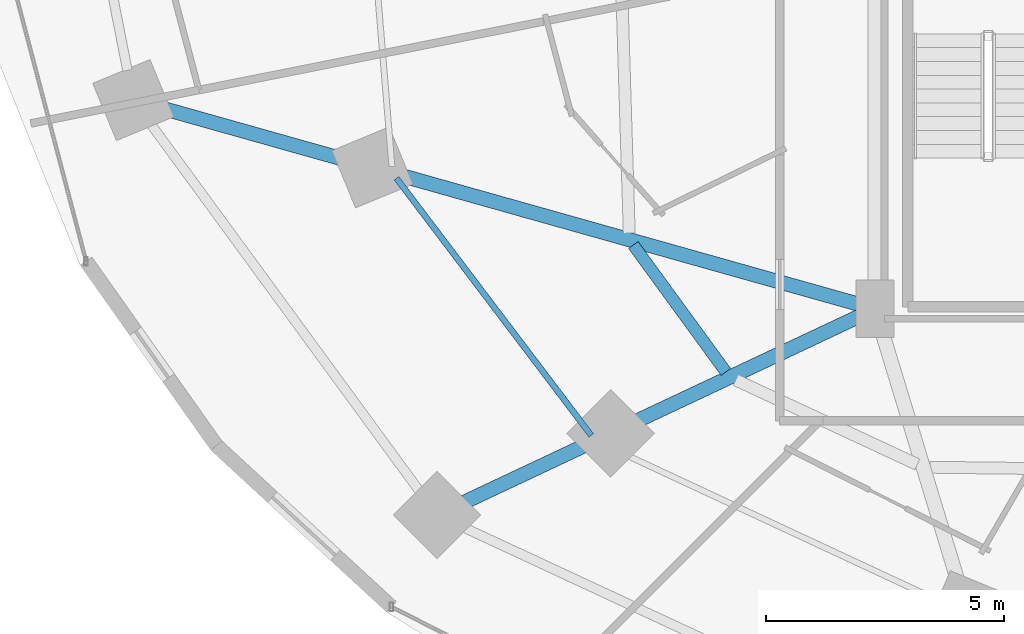
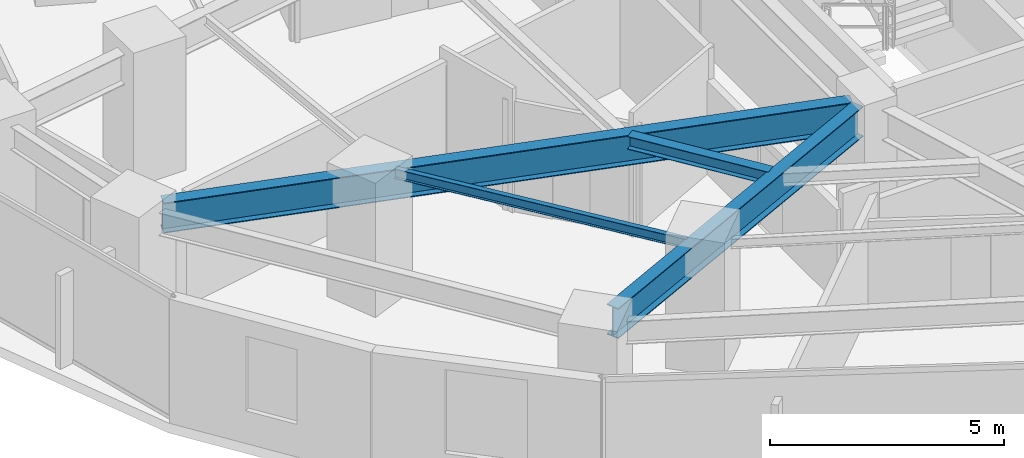
# One storey, part 4 of 35: 4 beams.
"""IFC4 building model written with IfcOpenShell, lengths in metres."""

import ifcopenshell
import ifcopenshell.guid

model = None  # the IFC model being written
_history = None  # IfcOwnerHistory: only IFC2X3 demands one
_inside = {}  # id of a spatial element -> (the spatial element, [elements in it])
_under = {}  # id of a project, library or spatial element -> (it, [spatial elements below it])
_declared = {}  # id of a project -> (the project, [libraries it declares])
_typed = {}  # id of a type object -> (the type object, [elements of that type])
_made_of = {}  # id of a material, layer set ... -> (it, [elements and type objects made of it])


def new_model(schema):
    """Start an empty IFC model of exactly this schema.

    Asked for "IFC4X3", IfcOpenShell would pick the latest addendum, in which some entities
    have other attributes; the version numbers below select the first issue.
    IFC2X3 requires an IfcOwnerHistory on every rooted entity: one is made here for all.
    """
    global model, _history
    if schema == "IFC4X3":
        model = ifcopenshell.file(schema_version=(4, 3, 0, 0))
    else:
        model = ifcopenshell.file(schema=schema)
    _inside.clear()
    _under.clear()
    _declared.clear()
    _typed.clear()
    _made_of.clear()
    _history = None
    if model.schema == "IFC2X3":
        org = make("IfcOrganization", Name="unknown")
        user = make(
            "IfcPersonAndOrganization",
            ThePerson=make("IfcPerson", FamilyName="unknown"),
            TheOrganization=org,
        )
        app = make(
            "IfcApplication",
            ApplicationDeveloper=org,
            Version="unknown",
            ApplicationFullName="unknown",
            ApplicationIdentifier="unknown",
        )
        _history = make(
            "IfcOwnerHistory",
            OwningUser=user,
            OwningApplication=app,
            ChangeAction="ADDED",
            CreationDate=0,
        )
    return model


def make(cls, **values):
    """One entity of the class cls with the attributes given. An attribute that is None is left unset."""
    return model.create_entity(
        cls, **{name: value for name, value in values.items() if value is not None}
    )


def rooted(cls, **values):
    """An entity with a GlobalId (a new one), such as an element, a storey or a relation."""
    return make(cls, GlobalId=ifcopenshell.guid.new(), OwnerHistory=_history, **values)


def si_unit(unit_type, name, prefix=None):
    """IfcSIUnit, for example si_unit("LENGTHUNIT", "METRE", prefix="MILLI")."""
    return make("IfcSIUnit", UnitType=unit_type, Prefix=prefix, Name=name)


def assignment(units):
    """IfcUnitAssignment: the units of a project."""
    return None if units is None else make("IfcUnitAssignment", Units=units)


def point(xyz):
    """IfcCartesianPoint."""
    return None if xyz is None else make("IfcCartesianPoint", Coordinates=xyz)


def direction(xyz):
    """IfcDirection."""
    return None if xyz is None else make("IfcDirection", DirectionRatios=xyz)


def frame(location, z_axis=None, x_axis=None):
    """IfcAxis2Placement3D, a coordinate frame: its origin and axes. An axis left out is left unset."""
    return make(
        "IfcAxis2Placement3D",
        Location=point(location),
        Axis=direction(z_axis),
        RefDirection=direction(x_axis),
    )


def frame_2d(location, x_axis=None):
    """IfcAxis2Placement2D, a coordinate frame in the plane: its origin and x axis."""
    return make(
        "IfcAxis2Placement2D", Location=point(location), RefDirection=direction(x_axis)
    )


def origin():
    """The frame at (0, 0, 0) with its axes left unset."""
    return frame((0.0, 0.0, 0.0))


def origin_2d():
    """The frame at (0, 0) in the plane with its x axis left unset."""
    return frame_2d((0.0, 0.0))


def place(relative_to, where):
    """IfcLocalPlacement: puts the frame where relative to a parent placement (None: the world)."""
    return make(
        "IfcLocalPlacement", PlacementRelTo=relative_to, RelativePlacement=where
    )


def context(
    kind, dimensions, precision=None, world=None, true_north=None, identifier=None
):
    """IfcGeometricRepresentationContext, for example the 3D "Model" context."""
    return make(
        "IfcGeometricRepresentationContext",
        ContextIdentifier=identifier,
        ContextType=kind,
        CoordinateSpaceDimension=dimensions,
        Precision=precision,
        WorldCoordinateSystem=world,
        TrueNorth=true_north,
    )


def subcontext(parent, identifier, kind, view, scale=None):
    """IfcGeometricRepresentationSubContext, for example "Body" below "Model"."""
    return make(
        "IfcGeometricRepresentationSubContext",
        ContextIdentifier=identifier,
        ContextType=kind,
        ParentContext=parent,
        TargetScale=scale,
        TargetView=view,
    )


def project(units=None, contexts=None):
    """IfcProject with its units and contexts."""
    return rooted(
        "IfcProject",
        Name="project",
        RepresentationContexts=contexts,
        UnitsInContext=assignment(units),
    )


def spatial(cls, under=None, at=None, **own):
    """A site, building, storey or space (cls), placed at a placement, below another one or the project."""
    s = rooted(cls, ObjectPlacement=at, **own)
    if under is not None:
        _under.setdefault(under.id(), (under, []))[1].append(s)
    return s


def profile(cls, at=None, kind="AREA", **sizes):
    """A parametric profile (cls). Its sizes go by their IFC names, for example OverallWidth=200.0."""
    return make(cls, ProfileType=kind, Position=at, **sizes)


def i_section(**sizes):
    """IfcIShapeProfileDef."""
    return profile("IfcIShapeProfileDef", **sizes)


def extrude(swept, where, along, depth):
    """IfcExtrudedAreaSolid: the profile swept, set in the frame where, extruded along a direction by depth."""
    return make(
        "IfcExtrudedAreaSolid",
        SweptArea=swept,
        Position=where,
        ExtrudedDirection=direction(along),
        Depth=depth,
    )


def shape(context_of_items, identifier, shape_type, items):
    """IfcShapeRepresentation: the items that make up one representation, for example the "Body"."""
    return make(
        "IfcShapeRepresentation",
        ContextOfItems=context_of_items,
        RepresentationIdentifier=identifier,
        RepresentationType=shape_type,
        Items=items,
    )


def material(Name=None, Category=None):
    """IfcMaterial."""
    return make("IfcMaterial", Name=Name, Category=Category)


def material_profile(
    of_material, cross_section, Name=None, Category=None, Priority=None
):
    """IfcMaterialProfile: a cross section and its material."""
    return make(
        "IfcMaterialProfile",
        Name=Name,
        Material=of_material,
        Profile=cross_section,
        Priority=Priority,
        Category=Category,
    )


def profile_set(profiles, Name=None, composite=None):
    """IfcMaterialProfileSet."""
    return make(
        "IfcMaterialProfileSet",
        Name=Name,
        MaterialProfiles=profiles,
        CompositeProfile=composite,
    )


def made_of(thing, what):
    """Note that an element or type object is made of a material, layer set ...; save() writes the relation."""
    if what is not None:
        _made_of.setdefault(what.id(), (what, []))[1].append(thing)
    return thing


def type_object(cls, material=None, **own):
    """A type object (cls), such as IfcWallType, which elements share."""
    return made_of(rooted(cls, **own), material)


def element(
    cls,
    number,
    at=None,
    inside=None,
    cuts=None,
    type_object=None,
    material=None,
    context=None,
    identifier="Body",
    shape_type=None,
    held_by="IfcProductDefinitionShape",
    body=None,
    shapes=None,
    **own,
):
    """One element of the class cls, such as IfcWall. Its Tag is "e" and its number.

    at: its placement. inside: the storey or other place that contains it. cuts: it is an
    opening in that element (IfcRelVoidsElement). A single representation is given by context,
    identifier, shape_type and body (its items); several are given by shapes. held_by: the class
    of the entity that holds the representations. save() writes the other relations.
    """
    e = rooted(cls, Tag="e%d" % number, ObjectPlacement=at, **own)
    if body is not None:
        shapes = [shape(context, identifier, shape_type, body)]
    if shapes is not None:
        e.Representation = make(held_by, Representations=shapes)
    if inside is not None:
        _inside.setdefault(inside.id(), (inside, []))[1].append(e)
    if cuts is not None:
        rooted(
            "IfcRelVoidsElement", RelatingBuildingElement=cuts, RelatedOpeningElement=e
        )
    if type_object is not None:
        _typed.setdefault(type_object.id(), (type_object, []))[1].append(e)
    return made_of(e, material)


def aggregate(whole, parts):
    """IfcRelAggregates: a whole, such as a stair, and the parts it consists of."""
    return rooted("IfcRelAggregates", RelatingObject=whole, RelatedObjects=parts)


def save(model, path):
    """Write the relations noted so far, then the file.

    IfcRelAggregates (storeys below a building ...), IfcRelContainedInSpatialStructure (elements
    in a storey), IfcRelDefinesByType, IfcRelAssociatesMaterial and IfcRelDeclares: one each for
    every whole, place, type object, material and project.
    """
    for whole, parts in _under.values():
        aggregate(whole, parts)
    for where, things in _inside.values():
        rooted(
            "IfcRelContainedInSpatialStructure",
            RelatedElements=things,
            RelatingStructure=where,
        )
    for kind, things in _typed.values():
        rooted("IfcRelDefinesByType", RelatedObjects=things, RelatingType=kind)
    for what, things in _made_of.values():
        rooted("IfcRelAssociatesMaterial", RelatedObjects=things, RelatingMaterial=what)
    for by, libraries in _declared.values():
        rooted("IfcRelDeclares", RelatingContext=by, RelatedDefinitions=libraries)
    model.write(path)


model = new_model("IFC4")

# Units and contexts
model_context = context("Model", 3, precision=1e-05, world=origin(), true_north=direction((0.0, 1.0)))
body_context = subcontext(model_context, "Body", "Model", "MODEL_VIEW")
ifc_project = project(units=[si_unit("LENGTHUNIT", "METRE"), si_unit("AREAUNIT", "SQUARE_METRE"), si_unit("VOLUMEUNIT", "CUBIC_METRE"), si_unit("PLANEANGLEUNIT", "RADIAN"), si_unit("MASSUNIT", "GRAM", prefix="KILO")], contexts=[model_context])

# Site, building, storey
site_placement = place(None, origin())
site = spatial("IfcSite", under=ifc_project, at=site_placement, CompositionType="ELEMENT")
building_placement = place(site_placement, origin())
building = spatial("IfcBuilding", under=site, at=building_placement, Name="Vorneva Point Tower", CompositionType="ELEMENT")
storey_placement = place(building_placement, frame((0.0, 0.0, 45.0)))
storey = spatial("IfcBuildingStorey", under=building, at=storey_placement, Name="L11", CompositionType="ELEMENT", Elevation=45.0)

# Beams
ifc_material = material(Name="Steel S355", Category="steel")
ifc_material_profile_1 = material_profile(ifc_material, i_section(OverallWidth=0.300048828125, OverallDepth=0.7880859375, WebThickness=0.014404296875, FlangeThickness=0.02197265625, at=origin_2d()), Name="80Sh1")
ifc_profile_set_1 = profile_set([ifc_material_profile_1], Name="Steel S355")
beam_type_1 = type_object("IfcBeamType", Name="BM-GRD-80Sh1", PredefinedType="USERDEFINED", material=ifc_profile_set_1)
beam_1_placement = place(storey_placement, frame((12.30224609375, 20.65673828125, 2.845947265625), z_axis=(0.962603400973, -0.270914548217, 0.0), x_axis=(0.270914548217, 0.962603400973, 0.0)))
element("IfcBeam", 1, at=beam_1_placement, inside=storey, type_object=beam_type_1, Name="L11 Radial Primary Girder 10", ObjectType="GIRDER", PredefinedType="USERDEFINED", context=body_context, shape_type="SweptSolid", body=[
    extrude(i_section(OverallWidth=0.300048828125, OverallDepth=0.7880859375, WebThickness=0.014404296875, FlangeThickness=0.02197265625, at=origin_2d()), origin(), (0.0, 0.0, 1.0), 15.188232421875),
])
beam_2_placement = place(storey_placement, frame((18.638427734375, 12.39599609375, 2.845947265625), z_axis=(0.904758409006, 0.425925135831, 0.0), x_axis=(-0.425925135831, 0.904758409006, 0.0)))
element("IfcBeam", 2, at=beam_2_placement, inside=storey, type_object=beam_type_1, Name="L11 Radial Primary Girder 11", ObjectType="GIRDER", PredefinedType="USERDEFINED", context=body_context, shape_type="SweptSolid", body=[
    extrude(i_section(OverallWidth=0.300048828125, OverallDepth=0.7880859375, WebThickness=0.014404296875, FlangeThickness=0.02197265625, at=origin_2d()), origin(), (0.0, 0.0, 1.0), 9.177978515625),
])
ifc_material_profile_2 = material_profile(ifc_material, i_section(OverallWidth=0.1240234375, OverallDepth=0.248046875, WebThickness=0.0048828125, FlangeThickness=0.008056640625, at=origin_2d()), Name="25B1")
ifc_profile_set_2 = profile_set([ifc_material_profile_2], Name="Steel S355")
beam_type_2 = type_object("IfcBeamType", Name="BM-JST-25B1", PredefinedType="JOIST", material=ifc_profile_set_2)
beam_3_placement = place(storey_placement, frame((17.210205078125, 19.18896484375, 3.115966796875), z_axis=(0.603815306916, -0.797124253259, 0.0), x_axis=(0.797124253259, 0.603815306916, 0.0)))
element("IfcBeam", 3, at=beam_3_placement, inside=storey, type_object=beam_type_2, Name="L11 Secondary Floor Beam 1.10", PredefinedType="JOIST", context=body_context, shape_type="SweptSolid", body=[
    extrude(i_section(OverallWidth=0.1240234375, OverallDepth=0.248046875, WebThickness=0.0048828125, FlangeThickness=0.008056640625, at=origin_2d()), origin(), (0.0, 0.0, 1.0), 6.765625),
])
ifc_material_profile_3 = material_profile(ifc_material, i_section(OverallWidth=0.2490234375, OverallDepth=0.333984375, WebThickness=0.008056640625, FlangeThickness=0.010986328125, at=origin_2d()), Name="35Sh1")
ifc_profile_set_3 = profile_set([ifc_material_profile_3], Name="Steel S355")
beam_type_3 = type_object("IfcBeamType", Name="BM-SEC-35Sh1", PredefinedType="BEAM", material=ifc_profile_set_3)
beam_4_placement = place(storey_placement, frame((22.17919921875, 17.78857421875, 3.072998046875), z_axis=(0.589312242376, -0.807905366355, 0.0), x_axis=(0.807905366355, 0.589312242376, 0.0)))
element("IfcBeam", 4, at=beam_4_placement, inside=storey, type_object=beam_type_3, Name="L11 Secondary Floor Beam 2.10", PredefinedType="BEAM", context=body_context, shape_type="SweptSolid", body=[
    extrude(i_section(OverallWidth=0.2490234375, OverallDepth=0.333984375, WebThickness=0.008056640625, FlangeThickness=0.010986328125, at=origin_2d()), origin(), (0.0, 0.0, 1.0), 3.294677734375),
])

save(model, "model.ifc")
